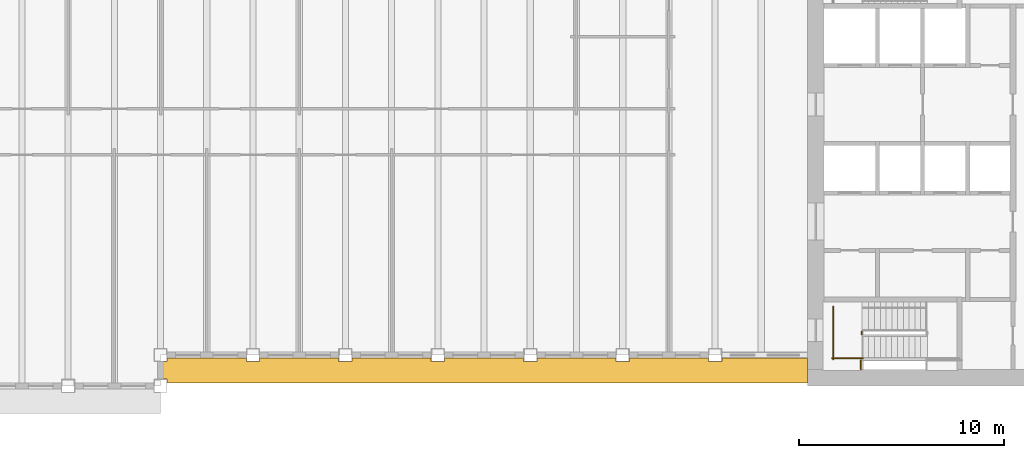
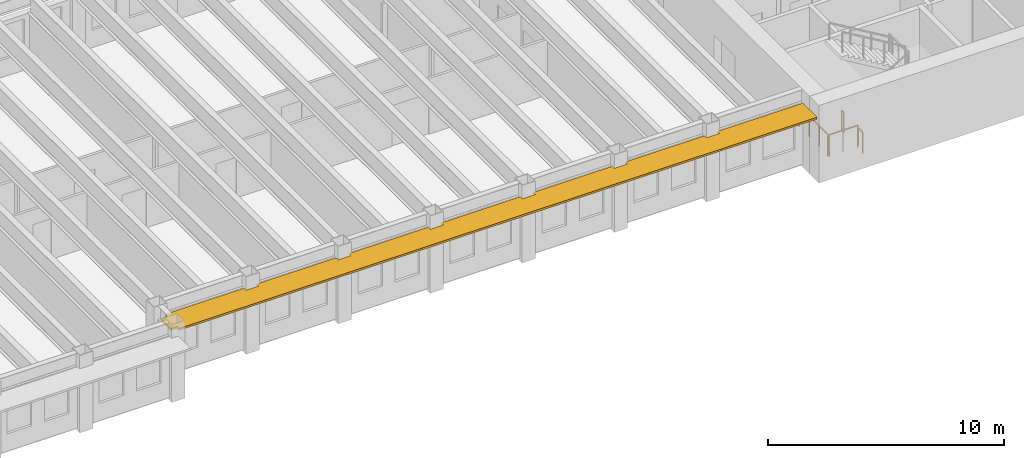
# One storey, part 9 of 12: 4 railings, 1 shading device.
"""IFC4 building model written with IfcOpenShell, lengths in metres."""

from ifc_helpers import new_model, si_unit, direction, frame, origin, origin_2d, place, context, subcontext, project, spatial, polyline, rectangle, outline, extrude, material, layer, layer_set, type_object, element, save


model = new_model("IFC4")

# Units and contexts
model_context = context("Model", 3, precision=1e-05, world=origin(), true_north=direction((0.0, 1.0)))
body_context = subcontext(model_context, "Body", "Model", "MODEL_VIEW")
ifc_project = project(units=[si_unit("LENGTHUNIT", "METRE"), si_unit("AREAUNIT", "SQUARE_METRE"), si_unit("VOLUMEUNIT", "CUBIC_METRE"), si_unit("PLANEANGLEUNIT", "RADIAN"), si_unit("MASSUNIT", "GRAM", prefix="KILO")], contexts=[model_context])

# Site, building, storey
site_placement = place(None, origin())
site = spatial("IfcSite", under=ifc_project, at=site_placement, CompositionType="ELEMENT")
building_placement = place(site_placement, origin())
building = spatial("IfcBuilding", under=site, at=building_placement, Name="Sennacour Bend Tower", CompositionType="ELEMENT")
storey_placement = place(building_placement, frame((0.0, 0.0, 265.0)))
storey = spatial("IfcBuildingStorey", under=building, at=storey_placement, Name="L61", CompositionType="ELEMENT", Elevation=265.0)

# Railings
ifc_material_1 = material(Name="Stainless steel", Category="steel")
railing_type = type_object("IfcRailingType", Name="RL-GUARD-1100", PredefinedType="GUARDRAIL", material=ifc_material_1)
railing_1_placement = place(storey_placement, frame((56.64990234375, 2.5, 0.0)))
element("IfcRailing", 1, at=railing_1_placement, inside=storey, type_object=railing_type, Name="L61 SA1 stair guard 5", PredefinedType="GUARDRAIL", context=body_context, shape_type="SweptSolid", body=[
    extrude(rectangle(XDim=0.048095703125, YDim=0.048095703125, at=origin_2d()), frame((0.0, 0.0, 1.076171875), z_axis=(0.0, 1.0, 0.0), x_axis=(-1.0, 0.0, 0.0)), (0.0, 0.0, 1.0), 0.14990234375),
    extrude(rectangle(XDim=0.0419921875, YDim=0.0419921875, at=origin_2d()), origin(), (0.0, 0.0, 1.0), 1.052001953125),
    extrude(rectangle(XDim=0.0419921875, YDim=0.0419921875, at=origin_2d()), frame((0.0, 0.14990234375, 0.0)), (0.0, 0.0, 1.0), 1.052001953125),
])
railing_2_placement = place(storey_placement, frame((55.199951171875, 1.35009765625, 0.0)))
element("IfcRailing", 2, at=railing_2_placement, inside=storey, type_object=railing_type, Name="L61 SA1 stair guard 6", PredefinedType="GUARDRAIL", context=body_context, shape_type="SweptSolid", body=[
    extrude(rectangle(XDim=0.048095703125, YDim=0.048095703125, at=origin_2d()), frame((0.0, 0.0, 1.076171875), z_axis=(1.0, 0.0, 0.0), x_axis=(0.0, 1.0, 0.0)), (0.0, 0.0, 1.0), 1.5),
    extrude(rectangle(XDim=0.0419921875, YDim=0.0419921875, at=origin_2d()), origin(), (0.0, 0.0, 1.0), 1.052001953125),
    extrude(rectangle(XDim=0.0419921875, YDim=0.0419921875, at=origin_2d()), frame((0.75, 0.0, 0.0)), (0.0, 0.0, 1.0), 1.052001953125),
    extrude(rectangle(XDim=0.0419921875, YDim=0.0419921875, at=origin_2d()), frame((1.5, 0.0, 0.0)), (0.0, 0.0, 1.0), 1.052001953125),
])
railing_3_placement = place(storey_placement, frame((55.25, 1.300048828125, 0.0)))
element("IfcRailing", 3, at=railing_3_placement, inside=storey, type_object=railing_type, Name="L61 SA1 stair guard 7", PredefinedType="GUARDRAIL", context=body_context, shape_type="SweptSolid", body=[
    extrude(rectangle(XDim=0.048095703125, YDim=0.048095703125, at=origin_2d()), frame((0.0, 0.0, 1.076171875), z_axis=(0.0, 1.0, 0.0), x_axis=(-1.0, 0.0, 0.0)), (0.0, 0.0, 1.0), 2.550048828125),
    extrude(rectangle(XDim=0.0419921875, YDim=0.0419921875, at=origin_2d()), origin(), (0.0, 0.0, 1.0), 1.052001953125),
    extrude(rectangle(XDim=0.0419921875, YDim=0.0419921875, at=origin_2d()), frame((0.0, 0.85009765625, 0.0)), (0.0, 0.0, 1.0), 1.052001953125),
    extrude(rectangle(XDim=0.0419921875, YDim=0.0419921875, at=origin_2d()), frame((0.0, 1.699951171875, 0.0)), (0.0, 0.0, 1.0), 1.052001953125),
    extrude(rectangle(XDim=0.0419921875, YDim=0.0419921875, at=origin_2d()), frame((0.0, 2.550048828125, 0.0)), (0.0, 0.0, 1.0), 1.052001953125),
])
railing_4_placement = place(storey_placement, frame((56.60009765625, 1.25, 0.0)))
element("IfcRailing", 4, at=railing_4_placement, inside=storey, type_object=railing_type, Name="L61 SA1 landing edge guard 148", PredefinedType="GUARDRAIL", context=body_context, shape_type="SweptSolid", body=[
    extrude(rectangle(XDim=0.048095703125, YDim=0.048095703125, at=origin_2d()), frame((0.0, 0.0, 1.076171875), z_axis=(0.0, -1.0, 0.0), x_axis=(1.0, 0.0, 0.0)), (0.0, 0.0, 1.0), 0.449951171875),
    extrude(rectangle(XDim=0.0419921875, YDim=0.0419921875, at=origin_2d()), origin(), (0.0, 0.0, 1.0), 1.052001953125),
    extrude(rectangle(XDim=0.0419921875, YDim=0.0419921875, at=origin_2d()), frame((0.0, -0.449951171875, 0.0)), (0.0, 0.0, 1.0), 1.052001953125),
])

# Shading device
ifc_material_2 = material(Name="Bronze anodised aluminium", Category="aluminium")
ifc_layer = layer(ifc_material_2, 0.10009765625, Name="Bronze anodised aluminium", Category="aluminium")
ifc_layer_set = layer_set([ifc_layer], Name="Bronze anodised aluminium")
shading_device_type = type_object("IfcShadingDeviceType", Name="SUNSHADE BAND STRAIGHT", PredefinedType="USERDEFINED", material=ifc_layer_set)
shading_device_placement = place(storey_placement, frame((0.0, 0.0, 3.06201171875)))
element("IfcShadingDevice", 5, at=shading_device_placement, inside=storey, type_object=shading_device_type, Name="Sunshade band L61 A outer face", ObjectType="SUNSHADE", PredefinedType="USERDEFINED", context=body_context, shape_type="SweptSolid", body=[
    extrude(outline(polyline([(26.675048828125, 1.35009765625), (26.675048828125, 1.175048828125), (27.324951171875, 1.175048828125), (27.324951171875, 1.35009765625), (31.175048828125, 1.35009765625), (31.175048828125, 1.175048828125), (31.824951171875, 1.175048828125), (31.824951171875, 1.35009765625), (35.675048828125, 1.35009765625), (35.675048828125, 1.175048828125), (36.324951171875, 1.175048828125), (36.324951171875, 1.35009765625), (40.175048828125, 1.35009765625), (40.175048828125, 1.175048828125), (40.824951171875, 1.175048828125), (40.824951171875, 1.35009765625), (44.675048828125, 1.35009765625), (44.675048828125, 1.175048828125), (45.324951171875, 1.175048828125), (45.324951171875, 1.35009765625), (49.175048828125, 1.35009765625), (49.175048828125, 1.175048828125), (49.824951171875, 1.175048828125), (49.824951171875, 1.35009765625), (54.0, 1.35009765625), (54.0, 0.14990234375), (22.824951171875, 0.14990234375), (22.824951171875, 0.324951171875), (22.5, 0.324951171875), (22.5, 1.175048828125), (22.824951171875, 1.175048828125), (22.824951171875, 1.35009765625), (26.675048828125, 1.35009765625)])), origin(), (0.0, 0.0, 1.0), 0.10009765625),
])

save(model, "model.ifc")
